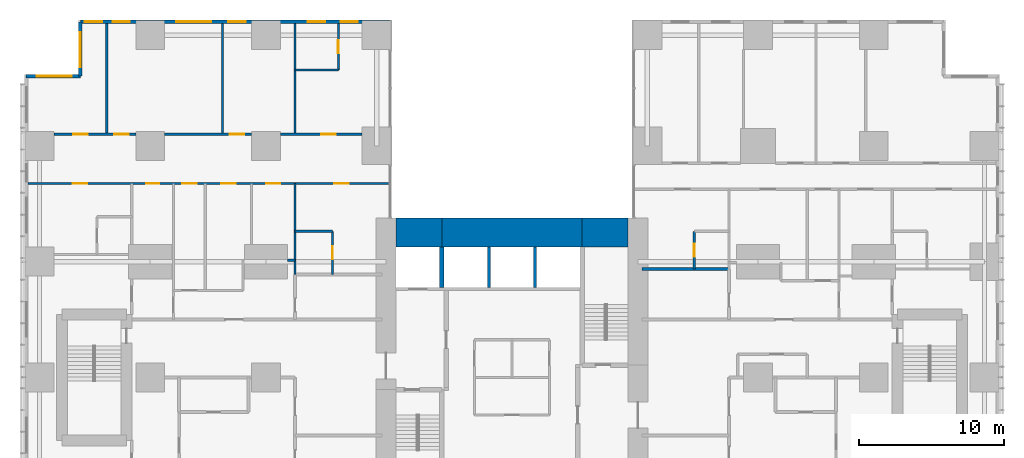
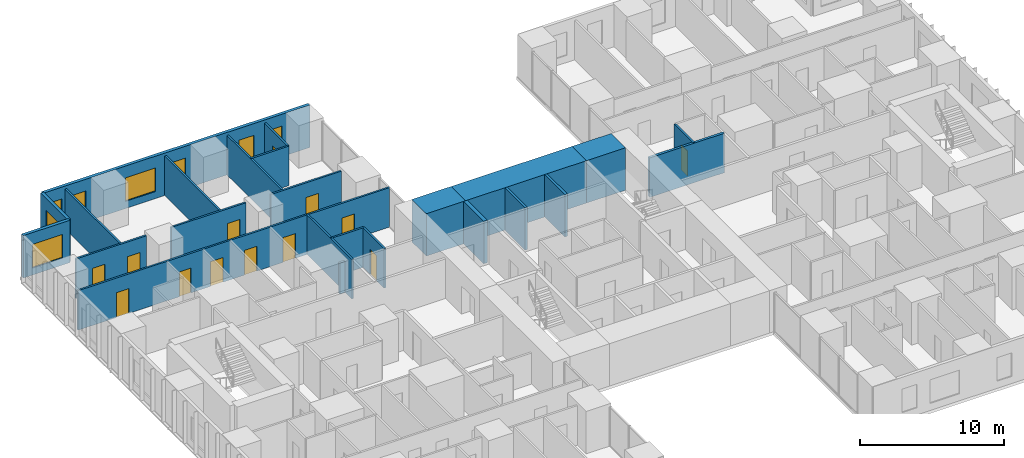
# One storey, part 17 of 20: 24 walls, 13 doors, 8 windows, 21 openings.
"""IFC4 building model written with IfcOpenShell, lengths in metres."""

import ifcopenshell
import ifcopenshell.guid

model = None  # the IFC model being written
_history = None  # IfcOwnerHistory: only IFC2X3 demands one
_inside = {}  # id of a spatial element -> (the spatial element, [elements in it])
_under = {}  # id of a project, library or spatial element -> (it, [spatial elements below it])
_declared = {}  # id of a project -> (the project, [libraries it declares])
_typed = {}  # id of a type object -> (the type object, [elements of that type])
_made_of = {}  # id of a material, layer set ... -> (it, [elements and type objects made of it])


def new_model(schema):
    """Start an empty IFC model of exactly this schema.

    Asked for "IFC4X3", IfcOpenShell would pick the latest addendum, in which some entities
    have other attributes; the version numbers below select the first issue.
    IFC2X3 requires an IfcOwnerHistory on every rooted entity: one is made here for all.
    """
    global model, _history
    if schema == "IFC4X3":
        model = ifcopenshell.file(schema_version=(4, 3, 0, 0))
    else:
        model = ifcopenshell.file(schema=schema)
    _inside.clear()
    _under.clear()
    _declared.clear()
    _typed.clear()
    _made_of.clear()
    _history = None
    if model.schema == "IFC2X3":
        org = make("IfcOrganization", Name="unknown")
        user = make(
            "IfcPersonAndOrganization",
            ThePerson=make("IfcPerson", FamilyName="unknown"),
            TheOrganization=org,
        )
        app = make(
            "IfcApplication",
            ApplicationDeveloper=org,
            Version="unknown",
            ApplicationFullName="unknown",
            ApplicationIdentifier="unknown",
        )
        _history = make(
            "IfcOwnerHistory",
            OwningUser=user,
            OwningApplication=app,
            ChangeAction="ADDED",
            CreationDate=0,
        )
    return model


def make(cls, **values):
    """One entity of the class cls with the attributes given. An attribute that is None is left unset."""
    return model.create_entity(
        cls, **{name: value for name, value in values.items() if value is not None}
    )


def rooted(cls, **values):
    """An entity with a GlobalId (a new one), such as an element, a storey or a relation."""
    return make(cls, GlobalId=ifcopenshell.guid.new(), OwnerHistory=_history, **values)


def si_unit(unit_type, name, prefix=None):
    """IfcSIUnit, for example si_unit("LENGTHUNIT", "METRE", prefix="MILLI")."""
    return make("IfcSIUnit", UnitType=unit_type, Prefix=prefix, Name=name)


def assignment(units):
    """IfcUnitAssignment: the units of a project."""
    return None if units is None else make("IfcUnitAssignment", Units=units)


def point(xyz):
    """IfcCartesianPoint."""
    return None if xyz is None else make("IfcCartesianPoint", Coordinates=xyz)


def direction(xyz):
    """IfcDirection."""
    return None if xyz is None else make("IfcDirection", DirectionRatios=xyz)


def frame(location, z_axis=None, x_axis=None):
    """IfcAxis2Placement3D, a coordinate frame: its origin and axes. An axis left out is left unset."""
    return make(
        "IfcAxis2Placement3D",
        Location=point(location),
        Axis=direction(z_axis),
        RefDirection=direction(x_axis),
    )


def frame_2d(location, x_axis=None):
    """IfcAxis2Placement2D, a coordinate frame in the plane: its origin and x axis."""
    return make(
        "IfcAxis2Placement2D", Location=point(location), RefDirection=direction(x_axis)
    )


def origin():
    """The frame at (0, 0, 0) with its axes left unset."""
    return frame((0.0, 0.0, 0.0))


def place(relative_to, where):
    """IfcLocalPlacement: puts the frame where relative to a parent placement (None: the world)."""
    return make(
        "IfcLocalPlacement", PlacementRelTo=relative_to, RelativePlacement=where
    )


def context(
    kind, dimensions, precision=None, world=None, true_north=None, identifier=None
):
    """IfcGeometricRepresentationContext, for example the 3D "Model" context."""
    return make(
        "IfcGeometricRepresentationContext",
        ContextIdentifier=identifier,
        ContextType=kind,
        CoordinateSpaceDimension=dimensions,
        Precision=precision,
        WorldCoordinateSystem=world,
        TrueNorth=true_north,
    )


def subcontext(parent, identifier, kind, view, scale=None):
    """IfcGeometricRepresentationSubContext, for example "Body" below "Model"."""
    return make(
        "IfcGeometricRepresentationSubContext",
        ContextIdentifier=identifier,
        ContextType=kind,
        ParentContext=parent,
        TargetScale=scale,
        TargetView=view,
    )


def project(units=None, contexts=None):
    """IfcProject with its units and contexts."""
    return rooted(
        "IfcProject",
        Name="project",
        RepresentationContexts=contexts,
        UnitsInContext=assignment(units),
    )


def spatial(cls, under=None, at=None, **own):
    """A site, building, storey or space (cls), placed at a placement, below another one or the project."""
    s = rooted(cls, ObjectPlacement=at, **own)
    if under is not None:
        _under.setdefault(under.id(), (under, []))[1].append(s)
    return s


def profile(cls, at=None, kind="AREA", **sizes):
    """A parametric profile (cls). Its sizes go by their IFC names, for example OverallWidth=200.0."""
    return make(cls, ProfileType=kind, Position=at, **sizes)


def rectangle(**sizes):
    """IfcRectangleProfileDef."""
    return profile("IfcRectangleProfileDef", **sizes)


def extrude(swept, where, along, depth):
    """IfcExtrudedAreaSolid: the profile swept, set in the frame where, extruded along a direction by depth."""
    return make(
        "IfcExtrudedAreaSolid",
        SweptArea=swept,
        Position=where,
        ExtrudedDirection=direction(along),
        Depth=depth,
    )


def shape(context_of_items, identifier, shape_type, items):
    """IfcShapeRepresentation: the items that make up one representation, for example the "Body"."""
    return make(
        "IfcShapeRepresentation",
        ContextOfItems=context_of_items,
        RepresentationIdentifier=identifier,
        RepresentationType=shape_type,
        Items=items,
    )


def material(Name=None, Category=None):
    """IfcMaterial."""
    return make("IfcMaterial", Name=Name, Category=Category)


def layer(
    of_material, thickness, ventilated=None, Name=None, Category=None, Priority=None
):
    """IfcMaterialLayer: one layer of a wall or slab, of a material (None: an air gap)."""
    return make(
        "IfcMaterialLayer",
        Material=of_material,
        LayerThickness=thickness,
        IsVentilated=ventilated,
        Name=Name,
        Category=Category,
        Priority=Priority,
    )


def layer_set(layers, Name=None):
    """IfcMaterialLayerSet."""
    return make("IfcMaterialLayerSet", MaterialLayers=layers, LayerSetName=Name)


def made_of(thing, what):
    """Note that an element or type object is made of a material, layer set ...; save() writes the relation."""
    if what is not None:
        _made_of.setdefault(what.id(), (what, []))[1].append(thing)
    return thing


def type_object(cls, material=None, **own):
    """A type object (cls), such as IfcWallType, which elements share."""
    return made_of(rooted(cls, **own), material)


def element(
    cls,
    number,
    at=None,
    inside=None,
    cuts=None,
    type_object=None,
    material=None,
    context=None,
    identifier="Body",
    shape_type=None,
    held_by="IfcProductDefinitionShape",
    body=None,
    shapes=None,
    **own,
):
    """One element of the class cls, such as IfcWall. Its Tag is "e" and its number.

    at: its placement. inside: the storey or other place that contains it. cuts: it is an
    opening in that element (IfcRelVoidsElement). A single representation is given by context,
    identifier, shape_type and body (its items); several are given by shapes. held_by: the class
    of the entity that holds the representations. save() writes the other relations.
    """
    e = rooted(cls, Tag="e%d" % number, ObjectPlacement=at, **own)
    if body is not None:
        shapes = [shape(context, identifier, shape_type, body)]
    if shapes is not None:
        e.Representation = make(held_by, Representations=shapes)
    if inside is not None:
        _inside.setdefault(inside.id(), (inside, []))[1].append(e)
    if cuts is not None:
        rooted(
            "IfcRelVoidsElement", RelatingBuildingElement=cuts, RelatedOpeningElement=e
        )
    if type_object is not None:
        _typed.setdefault(type_object.id(), (type_object, []))[1].append(e)
    return made_of(e, material)


def fill(opening, filler):
    """IfcRelFillsElement: the door or window that sits in an opening."""
    return rooted(
        "IfcRelFillsElement",
        RelatingOpeningElement=opening,
        RelatedBuildingElement=filler,
    )


def aggregate(whole, parts):
    """IfcRelAggregates: a whole, such as a stair, and the parts it consists of."""
    return rooted("IfcRelAggregates", RelatingObject=whole, RelatedObjects=parts)


def save(model, path):
    """Write the relations noted so far, then the file.

    IfcRelAggregates (storeys below a building ...), IfcRelContainedInSpatialStructure (elements
    in a storey), IfcRelDefinesByType, IfcRelAssociatesMaterial and IfcRelDeclares: one each for
    every whole, place, type object, material and project.
    """
    for whole, parts in _under.values():
        aggregate(whole, parts)
    for where, things in _inside.values():
        rooted(
            "IfcRelContainedInSpatialStructure",
            RelatedElements=things,
            RelatingStructure=where,
        )
    for kind, things in _typed.values():
        rooted("IfcRelDefinesByType", RelatedObjects=things, RelatingType=kind)
    for what, things in _made_of.values():
        rooted("IfcRelAssociatesMaterial", RelatedObjects=things, RelatingMaterial=what)
    for by, libraries in _declared.values():
        rooted("IfcRelDeclares", RelatingContext=by, RelatedDefinitions=libraries)
    model.write(path)


model = new_model("IFC4")

# Units and contexts
model_context = context("Model", 3, precision=1e-05, world=origin(), true_north=direction((0.0, 1.0)))
body_context = subcontext(model_context, "Body", "Model", "MODEL_VIEW")
ifc_project = project(units=[si_unit("LENGTHUNIT", "METRE"), si_unit("AREAUNIT", "SQUARE_METRE"), si_unit("VOLUMEUNIT", "CUBIC_METRE"), si_unit("PLANEANGLEUNIT", "RADIAN"), si_unit("MASSUNIT", "GRAM", prefix="KILO")], contexts=[model_context])

# Site, building, storey
site_placement = place(None, origin())
site = spatial("IfcSite", under=ifc_project, at=site_placement, CompositionType="ELEMENT")
building_placement = place(site_placement, origin())
building = spatial("IfcBuilding", under=site, at=building_placement, Name="Cleftline Residences", CompositionType="ELEMENT")
storey_placement = place(building_placement, frame((0.0, 0.0, 47.60009765625)))
storey = spatial("IfcBuildingStorey", under=building, at=storey_placement, Name="L11", CompositionType="ELEMENT", Elevation=47.60009765625)

# Walls
ifc_material_1 = material(Name="Concrete B70", Category="concrete")
ifc_layer_1 = layer(ifc_material_1, 2.0)
ifc_layer_set_1 = layer_set([ifc_layer_1], Name="CORE WALL 2000")
wall_type_1 = type_object("IfcWallType", Name="CORE WALL 2000", PredefinedType="SHEAR", material=ifc_layer_set_1)
wall_1_placement = place(storey_placement, frame((25.0, 34.0, 0.0), z_axis=(0.0, 0.0, 1.0), x_axis=(1.0, 0.0, 0.0)))
element("IfcWall", 1, at=wall_1_placement, inside=storey, type_object=wall_type_1, Name="Core wall N1", PredefinedType="SHEAR", context=body_context, shape_type="SweptSolid", body=[
    extrude(rectangle(XDim=3.14990234375, YDim=2.0, at=frame_2d((1.574951171875, 0.0))), origin(), (0.0, 0.0, 1.0), 3.599853515625),
])
wall_2_placement = place(storey_placement, frame((28.14990234375, 34.0, 0.0), z_axis=(0.0, 0.0, 1.0), x_axis=(1.0, 0.0, 0.0)))
element("IfcWall", 2, at=wall_2_placement, inside=storey, type_object=wall_type_1, Name="Core wall N2", PredefinedType="SHEAR", context=body_context, shape_type="SweptSolid", body=[
    extrude(rectangle(XDim=9.7001953125, YDim=2.0, at=frame_2d((4.85009765625, 0.0))), origin(), (0.0, 0.0, 1.0), 3.599853515625),
])
wall_3_placement = place(storey_placement, frame((37.85009765625, 34.0, 0.0), z_axis=(0.0, 0.0, 1.0), x_axis=(1.0, 0.0, 0.0)))
element("IfcWall", 3, at=wall_3_placement, inside=storey, type_object=wall_type_1, Name="Core wall N3", PredefinedType="SHEAR", context=body_context, shape_type="SweptSolid", body=[
    extrude(rectangle(XDim=3.14990234375, YDim=2.0, at=frame_2d((1.574951171875, 0.0))), origin(), (0.0, 0.0, 1.0), 3.599853515625),
])
ifc_material_2 = material(Name="Concrete B70", Category="concrete")
ifc_layer_2 = layer(ifc_material_2, 0.300048828125)
ifc_layer_set_2 = layer_set([ifc_layer_2], Name="CORE WALL 300")
wall_type_2 = type_object("IfcWallType", Name="CORE WALL 300", PredefinedType="SHEAR", material=ifc_layer_set_2)
wall_4_placement = place(storey_placement, frame((28.14990234375, 30.199951171875, 0.0), z_axis=(0.0, 0.0, 1.0), x_axis=(0.0, 1.0, 0.0)))
element("IfcWall", 4, at=wall_4_placement, inside=storey, type_object=wall_type_2, Name="Lift shaft wall", PredefinedType="SHEAR", context=body_context, shape_type="SweptSolid", body=[
    extrude(rectangle(XDim=2.800048828125, YDim=0.300048828125, at=frame_2d((1.39990234375, 0.0))), origin(), (0.0, 0.0, 1.0), 3.599853515625),
])

# Wall, openings, windows
ifc_material_3 = material(Name="Rendered reinforced concrete blockwork", Category="masonry")
ifc_layer_3 = layer(ifc_material_3, 0.25)
ifc_layer_set_3 = layer_set([ifc_layer_3], Name="EXTERNAL WALL 250")
wall_type_3 = type_object("IfcWallType", Name="EXTERNAL WALL 250", PredefinedType="SOLIDWALL", material=ifc_layer_set_3)
wall_5_placement = place(storey_placement, frame((24.574951171875, 48.574951171875, 0.0), z_axis=(0.0, 0.0, 1.0), x_axis=(-1.0, 0.0, 0.0)))
wall_5 = element("IfcWall", 5, at=wall_5_placement, inside=storey, type_object=wall_type_3, Name="External wall", PredefinedType="SOLIDWALL", context=body_context, shape_type="SweptSolid", body=[
    extrude(rectangle(XDim=21.39990234375, YDim=0.25, at=frame_2d((10.699951171875, 0.0))), origin(), (0.0, 0.0, 1.0), 3.599853515625),
])
opening_1_placement = place(wall_5_placement, frame((2.22509765625, 0.0, 0.60009765625)))
opening_1 = element("IfcOpeningElement", 6, at=opening_1_placement, cuts=wall_5, Name="Opening W8", PredefinedType="OPENING", context=body_context, shape_type="SweptSolid", body=[
    extrude(rectangle(XDim=1.199951171875, YDim=2.0, at=frame_2d((0.60009765625, 1.0))), frame((0.0, 0.135009765625, 0.0), z_axis=(0.0, -1.0, 0.0), x_axis=(1.0, 0.0, 0.0)), (0.0, 0.0, 1.0), 0.27001953125),
])
opening_2_placement = place(wall_5_placement, frame((4.47509765625, 0.0, 0.60009765625)))
opening_2 = element("IfcOpeningElement", 7, at=opening_2_placement, cuts=wall_5, Name="Opening W8", PredefinedType="OPENING", context=body_context, shape_type="SweptSolid", body=[
    extrude(rectangle(XDim=1.199951171875, YDim=2.0, at=frame_2d((0.60009765625, 1.0))), frame((0.0, 0.135009765625, 0.0), z_axis=(0.0, -1.0, 0.0), x_axis=(1.0, 0.0, 0.0)), (0.0, 0.0, 1.0), 0.27001953125),
])
opening_3_placement = place(wall_5_placement, frame((9.97509765625, 0.0, 0.60009765625)))
opening_3 = element("IfcOpeningElement", 8, at=opening_3_placement, cuts=wall_5, Name="Opening W8", PredefinedType="OPENING", context=body_context, shape_type="SweptSolid", body=[
    extrude(rectangle(XDim=1.199951171875, YDim=2.0, at=frame_2d((0.60009765625, 1.0))), frame((0.0, 0.135009765625, 0.0), z_axis=(0.0, -1.0, 0.0), x_axis=(1.0, 0.0, 0.0)), (0.0, 0.0, 1.0), 0.27001953125),
])
opening_4_placement = place(wall_5_placement, frame((12.375, 0.0, 0.60009765625)))
opening_4 = element("IfcOpeningElement", 9, at=opening_4_placement, cuts=wall_5, Name="Opening W6", PredefinedType="OPENING", context=body_context, shape_type="SweptSolid", body=[
    extrude(rectangle(XDim=2.39990234375, YDim=2.0, at=frame_2d((1.199951171875, 1.0))), frame((0.0, 0.135009765625, 0.0), z_axis=(0.0, -1.0, 0.0), x_axis=(1.0, 0.0, 0.0)), (0.0, 0.0, 1.0), 0.27001953125),
])
opening_5_placement = place(wall_5_placement, frame((17.97509765625, 0.0, 0.60009765625)))
opening_5 = element("IfcOpeningElement", 10, at=opening_5_placement, cuts=wall_5, Name="Opening W8", PredefinedType="OPENING", context=body_context, shape_type="SweptSolid", body=[
    extrude(rectangle(XDim=1.199951171875, YDim=2.0, at=frame_2d((0.60009765625, 1.0))), frame((0.0, 0.135009765625, 0.0), z_axis=(0.0, -1.0, 0.0), x_axis=(1.0, 0.0, 0.0)), (0.0, 0.0, 1.0), 0.27001953125),
])
opening_6_placement = place(wall_5_placement, frame((19.89990234375, 0.0, 0.60009765625)))
opening_6 = element("IfcOpeningElement", 11, at=opening_6_placement, cuts=wall_5, Name="Opening W8", PredefinedType="OPENING", context=body_context, shape_type="SweptSolid", body=[
    extrude(rectangle(XDim=1.199951171875, YDim=2.0, at=frame_2d((0.60009765625, 1.0))), frame((0.0, 0.135009765625, 0.0), z_axis=(0.0, -1.0, 0.0), x_axis=(1.0, 0.0, 0.0)), (0.0, 0.0, 1.0), 0.27001953125),
])
ifc_material_4 = material(Name="Aluminium frame, clear double glazing", Category="aluminium")
window_type_1 = type_object("IfcWindowType", Name="WINDOW 1200X2000", PartitioningType="DOUBLE_PANEL_VERTICAL", PredefinedType="WINDOW", material=ifc_material_4)
window_1_placement = place(opening_1_placement, origin())
window_1 = element("IfcWindow", 12, at=window_1_placement, inside=storey, type_object=window_type_1, Name="Window", OverallHeight=2.0, OverallWidth=1.199951171875, PartitioningType="SINGLE_PANEL", PredefinedType="WINDOW", context=body_context, shape_type="SweptSolid", body=[
    extrude(rectangle(XDim=1.199951171875, YDim=2.0, at=frame_2d((0.60009765625, 1.0))), frame((0.0, 0.030029296875, 0.0), z_axis=(0.0, -1.0, 0.0), x_axis=(1.0, 0.0, 0.0)), (0.0, 0.0, 1.0), 0.06005859375),
])
fill(opening_1, window_1)
window_2_placement = place(opening_2_placement, origin())
window_2 = element("IfcWindow", 13, at=window_2_placement, inside=storey, type_object=window_type_1, Name="Window", OverallHeight=2.0, OverallWidth=1.199951171875, PartitioningType="SINGLE_PANEL", PredefinedType="WINDOW", context=body_context, shape_type="SweptSolid", body=[
    extrude(rectangle(XDim=1.199951171875, YDim=2.0, at=frame_2d((0.60009765625, 1.0))), frame((0.0, 0.030029296875, 0.0), z_axis=(0.0, -1.0, 0.0), x_axis=(1.0, 0.0, 0.0)), (0.0, 0.0, 1.0), 0.06005859375),
])
fill(opening_2, window_2)
window_3_placement = place(opening_3_placement, origin())
window_3 = element("IfcWindow", 14, at=window_3_placement, inside=storey, type_object=window_type_1, Name="Window", OverallHeight=2.0, OverallWidth=1.199951171875, PartitioningType="SINGLE_PANEL", PredefinedType="WINDOW", context=body_context, shape_type="SweptSolid", body=[
    extrude(rectangle(XDim=1.199951171875, YDim=2.0, at=frame_2d((0.60009765625, 1.0))), frame((0.0, 0.030029296875, 0.0), z_axis=(0.0, -1.0, 0.0), x_axis=(1.0, 0.0, 0.0)), (0.0, 0.0, 1.0), 0.06005859375),
])
fill(opening_3, window_3)
window_4_placement = place(opening_5_placement, origin())
window_4 = element("IfcWindow", 15, at=window_4_placement, inside=storey, type_object=window_type_1, Name="Window", OverallHeight=2.0, OverallWidth=1.199951171875, PartitioningType="SINGLE_PANEL", PredefinedType="WINDOW", context=body_context, shape_type="SweptSolid", body=[
    extrude(rectangle(XDim=1.199951171875, YDim=2.0, at=frame_2d((0.60009765625, 1.0))), frame((0.0, 0.030029296875, 0.0), z_axis=(0.0, -1.0, 0.0), x_axis=(1.0, 0.0, 0.0)), (0.0, 0.0, 1.0), 0.06005859375),
])
fill(opening_5, window_4)
window_5_placement = place(opening_6_placement, origin())
window_5 = element("IfcWindow", 16, at=window_5_placement, inside=storey, type_object=window_type_1, Name="Window", OverallHeight=2.0, OverallWidth=1.199951171875, PartitioningType="SINGLE_PANEL", PredefinedType="WINDOW", context=body_context, shape_type="SweptSolid", body=[
    extrude(rectangle(XDim=1.199951171875, YDim=2.0, at=frame_2d((0.60009765625, 1.0))), frame((0.0, 0.030029296875, 0.0), z_axis=(0.0, -1.0, 0.0), x_axis=(1.0, 0.0, 0.0)), (0.0, 0.0, 1.0), 0.06005859375),
])
fill(opening_6, window_5)
ifc_material_5 = material(Name="Aluminium frame, clear double glazing", Category="aluminium")
window_type_2 = type_object("IfcWindowType", Name="WINDOW 2400X2000", PartitioningType="DOUBLE_PANEL_VERTICAL", PredefinedType="WINDOW", material=ifc_material_5)
window_6_placement = place(opening_4_placement, origin())
window_6 = element("IfcWindow", 17, at=window_6_placement, inside=storey, type_object=window_type_2, Name="Window", OverallHeight=2.0, OverallWidth=2.39990234375, PartitioningType="SINGLE_PANEL", PredefinedType="WINDOW", context=body_context, shape_type="SweptSolid", body=[
    extrude(rectangle(XDim=2.39990234375, YDim=2.0, at=frame_2d((1.199951171875, 1.0))), frame((0.0, 0.030029296875, 0.0), z_axis=(0.0, -1.0, 0.0), x_axis=(1.0, 0.0, 0.0)), (0.0, 0.0, 1.0), 0.06005859375),
])
fill(opening_4, window_6)

# Wall, opening, window
wall_6_placement = place(storey_placement, frame((3.175048828125, 48.574951171875, 0.0), z_axis=(0.0, 0.0, 1.0), x_axis=(0.0, -1.0, 0.0)))
wall_6 = element("IfcWall", 18, at=wall_6_placement, inside=storey, type_object=wall_type_3, Name="External wall", PredefinedType="SOLIDWALL", context=body_context, shape_type="SweptSolid", body=[
    extrude(rectangle(XDim=3.75, YDim=0.25, at=frame_2d((1.875, 0.0))), origin(), (0.0, 0.0, 1.0), 3.599853515625),
])
opening_7_placement = place(wall_6_placement, frame((0.737548828125, 0.0, 0.60009765625)))
opening_7 = element("IfcOpeningElement", 19, at=opening_7_placement, cuts=wall_6, Name="Opening W6", PredefinedType="OPENING", context=body_context, shape_type="SweptSolid", body=[
    extrude(rectangle(XDim=2.39990234375, YDim=2.0, at=frame_2d((1.199951171875, 1.0))), frame((0.0, 0.135009765625, 0.0), z_axis=(0.0, -1.0, 0.0), x_axis=(1.0, 0.0, 0.0)), (0.0, 0.0, 1.0), 0.27001953125),
])
window_7_placement = place(opening_7_placement, origin())
window_7 = element("IfcWindow", 20, at=window_7_placement, inside=storey, type_object=window_type_2, Name="Window", OverallHeight=2.0, OverallWidth=2.39990234375, PartitioningType="SINGLE_PANEL", PredefinedType="WINDOW", context=body_context, shape_type="SweptSolid", body=[
    extrude(rectangle(XDim=2.39990234375, YDim=2.0, at=frame_2d((1.199951171875, 1.0))), frame((0.0, 0.030029296875, 0.0), z_axis=(0.0, -1.0, 0.0), x_axis=(1.0, 0.0, 0.0)), (0.0, 0.0, 1.0), 0.06005859375),
])
fill(opening_7, window_7)

wall_7_placement = place(storey_placement, frame((3.175048828125, 44.824951171875, 0.0), z_axis=(0.0, 0.0, 1.0), x_axis=(-1.0, 0.0, 0.0)))
wall_7 = element("IfcWall", 21, at=wall_7_placement, inside=storey, type_object=wall_type_3, Name="External wall", PredefinedType="SOLIDWALL", context=body_context, shape_type="SweptSolid", body=[
    extrude(rectangle(XDim=3.75, YDim=0.25, at=frame_2d((1.875, 0.0))), origin(), (0.0, 0.0, 1.0), 3.599853515625),
])
opening_8_placement = place(wall_7_placement, frame((0.612548828125, 0.0, 0.60009765625)))
opening_8 = element("IfcOpeningElement", 22, at=opening_8_placement, cuts=wall_7, Name="Opening W6", PredefinedType="OPENING", context=body_context, shape_type="SweptSolid", body=[
    extrude(rectangle(XDim=2.39990234375, YDim=2.0, at=frame_2d((1.199951171875, 1.0))), frame((0.0, 0.135009765625, 0.0), z_axis=(0.0, -1.0, 0.0), x_axis=(1.0, 0.0, 0.0)), (0.0, 0.0, 1.0), 0.27001953125),
])
window_8_placement = place(opening_8_placement, origin())
window_8 = element("IfcWindow", 23, at=window_8_placement, inside=storey, type_object=window_type_2, Name="Window", OverallHeight=2.0, OverallWidth=2.39990234375, PartitioningType="SINGLE_PANEL", PredefinedType="WINDOW", context=body_context, shape_type="SweptSolid", body=[
    extrude(rectangle(XDim=2.39990234375, YDim=2.0, at=frame_2d((1.199951171875, 1.0))), frame((0.0, 0.030029296875, 0.0), z_axis=(0.0, -1.0, 0.0), x_axis=(1.0, 0.0, 0.0)), (0.0, 0.0, 1.0), 0.06005859375),
])
fill(opening_8, window_8)

# Walls
ifc_material_6 = material(Name="Concrete blockwork, fire rated", Category="masonry")
ifc_layer_4 = layer(ifc_material_6, 0.199951171875)
ifc_layer_set_4 = layer_set([ifc_layer_4], Name="FIRE WALL 200")
wall_type_4 = type_object("IfcWallType", Name="FIRE WALL 200", PredefinedType="PARTITIONING", material=ifc_layer_set_4)
wall_8_placement = place(storey_placement, frame((42.0, 31.5, 0.0), z_axis=(0.0, 0.0, 1.0), x_axis=(1.0, 0.0, 0.0)))
element("IfcWall", 24, at=wall_8_placement, inside=storey, type_object=wall_type_4, Name="Fire separating wall", PredefinedType="PARTITIONING", context=body_context, shape_type="SweptSolid", body=[
    extrude(rectangle(XDim=6.0, YDim=0.199951171875, at=frame_2d((3.0, 0.0))), origin(), (0.0, 0.0, 1.0), 3.349853515625),
])
ifc_material_7 = material(Name="Gypsum board on steel studs", Category="steel")
ifc_layer_5 = layer(ifc_material_7, 0.14990234375)
ifc_layer_set_5 = layer_set([ifc_layer_5], Name="PARTITION 150")
wall_type_5 = type_object("IfcWallType", Name="PARTITION 150", PredefinedType="PARTITIONING", material=ifc_layer_set_5)
wall_9_placement = place(storey_placement, frame((17.5, 32.10009765625, 0.0), z_axis=(0.0, 0.0, 1.0), x_axis=(1.0, 0.0, 0.0)))
element("IfcWall", 25, at=wall_9_placement, inside=storey, type_object=wall_type_5, Name="Partition", PredefinedType="PARTITIONING", context=body_context, shape_type="SweptSolid", body=[
    extrude(rectangle(XDim=0.5, YDim=0.14990234375, at=frame_2d((0.25, 0.0))), origin(), (0.0, 0.0, 1.0), 2.6337890625),
])
wall_10_placement = place(storey_placement, frame((18.0, 34.10009765625, 0.0), z_axis=(0.0, 0.0, 1.0), x_axis=(1.0, 0.0, 0.0)))
element("IfcWall", 26, at=wall_10_placement, inside=storey, type_object=wall_type_5, Name="Partition", PredefinedType="PARTITIONING", context=body_context, shape_type="SweptSolid", body=[
    extrude(rectangle(XDim=2.60009765625, YDim=0.14990234375, at=frame_2d((1.300048828125, 0.0))), origin(), (0.0, 0.0, 1.0), 3.349853515625),
])

# Wall, openings, doors
wall_11_placement = place(storey_placement, frame((-0.449951171875, 37.39990234375, 0.0), z_axis=(0.0, 0.0, 1.0), x_axis=(1.0, 0.0, 0.0)))
wall_11 = element("IfcWall", 27, at=wall_11_placement, inside=storey, type_object=wall_type_5, Name="Partition", PredefinedType="PARTITIONING", context=body_context, shape_type="SweptSolid", body=[
    extrude(rectangle(XDim=25.010986328125, YDim=0.14990234375, at=frame_2d((12.50537109375, 0.0))), origin(), (0.0, 0.0, 1.0), 3.349853515625),
])
opening_9_placement = place(wall_11_placement, frame((10.64990234375, 0.0, 0.0)))
opening_9 = element("IfcOpeningElement", 28, at=opening_9_placement, cuts=wall_11, Name="Opening D2", PredefinedType="OPENING", context=body_context, shape_type="SweptSolid", body=[
    extrude(rectangle(XDim=1.0, YDim=2.10009765625, at=frame_2d((0.5, 1.050048828125))), frame((0.0, 0.0849609375, 0.0), z_axis=(0.0, -1.0, 0.0), x_axis=(1.0, 0.0, 0.0)), (0.0, 0.0, 1.0), 0.169921875),
])
opening_10_placement = place(wall_11_placement, frame((3.08740234375, 0.0, 0.0)))
opening_10 = element("IfcOpeningElement", 29, at=opening_10_placement, cuts=wall_11, Name="Opening D2", PredefinedType="OPENING", context=body_context, shape_type="SweptSolid", body=[
    extrude(rectangle(XDim=1.0, YDim=2.10009765625, at=frame_2d((0.5, 1.050048828125))), frame((0.0, 0.0849609375, 0.0), z_axis=(0.0, -1.0, 0.0), x_axis=(1.0, 0.0, 0.0)), (0.0, 0.0, 1.0), 0.169921875),
])
opening_11_placement = place(wall_11_placement, frame((8.16259765625, 0.0, 0.0)))
opening_11 = element("IfcOpeningElement", 30, at=opening_11_placement, cuts=wall_11, Name="Opening D1", PredefinedType="OPENING", context=body_context, shape_type="SweptSolid", body=[
    extrude(rectangle(XDim=0.89990234375, YDim=2.10009765625, at=frame_2d((0.449951171875, 1.050048828125))), frame((0.0, 0.0849609375, 0.0), z_axis=(0.0, -1.0, 0.0), x_axis=(1.0, 0.0, 0.0)), (0.0, 0.0, 1.0), 0.169921875),
])
opening_12_placement = place(wall_11_placement, frame((13.35009765625, 0.0, 0.0)))
opening_12 = element("IfcOpeningElement", 31, at=opening_12_placement, cuts=wall_11, Name="Opening D2", PredefinedType="OPENING", context=body_context, shape_type="SweptSolid", body=[
    extrude(rectangle(XDim=1.0, YDim=2.10009765625, at=frame_2d((0.5, 1.050048828125))), frame((0.0, 0.0849609375, 0.0), z_axis=(0.0, -1.0, 0.0), x_axis=(1.0, 0.0, 0.0)), (0.0, 0.0, 1.0), 0.169921875),
])
opening_13_placement = place(wall_11_placement, frame((16.449951171875, 0.0, 0.0)))
opening_13 = element("IfcOpeningElement", 32, at=opening_13_placement, cuts=wall_11, Name="Opening D2", PredefinedType="OPENING", context=body_context, shape_type="SweptSolid", body=[
    extrude(rectangle(XDim=1.0, YDim=2.10009765625, at=frame_2d((0.5, 1.050048828125))), frame((0.0, 0.0849609375, 0.0), z_axis=(0.0, -1.0, 0.0), x_axis=(1.0, 0.0, 0.0)), (0.0, 0.0, 1.0), 0.169921875),
])
opening_14_placement = place(wall_11_placement, frame((21.175048828125, 0.0, 0.0)))
opening_14 = element("IfcOpeningElement", 33, at=opening_14_placement, cuts=wall_11, Name="Opening D2", PredefinedType="OPENING", context=body_context, shape_type="SweptSolid", body=[
    extrude(rectangle(XDim=1.0, YDim=2.10009765625, at=frame_2d((0.5, 1.050048828125))), frame((0.0, 0.0849609375, 0.0), z_axis=(0.0, -1.0, 0.0), x_axis=(1.0, 0.0, 0.0)), (0.0, 0.0, 1.0), 0.169921875),
])
ifc_material_8 = material(Name="Timber veneer on solid core", Category="wood")
door_type_1 = type_object("IfcDoorType", Name="DOOR 1000X2100", OperationType="SINGLE_SWING_LEFT", PredefinedType="DOOR", material=ifc_material_8)
door_1_placement = place(opening_9_placement, origin())
door_1 = element("IfcDoor", 34, at=door_1_placement, inside=storey, type_object=door_type_1, Name="Door to residence hall", OperationType="SINGLE_SWING_RIGHT", OverallHeight=2.10009765625, OverallWidth=1.0, PredefinedType="DOOR", context=body_context, shape_type="SweptSolid", body=[
    extrude(rectangle(XDim=1.0, YDim=2.10009765625, at=frame_2d((0.5, 1.050048828125))), frame((0.0, 0.02490234375, 0.0), z_axis=(0.0, -1.0, 0.0), x_axis=(1.0, 0.0, 0.0)), (0.0, 0.0, 1.0), 0.050048828125),
])
fill(opening_9, door_1)
door_2_placement = place(opening_10_placement, origin())
door_2 = element("IfcDoor", 35, at=door_2_placement, inside=storey, type_object=door_type_1, Name="Door to bedroom 2", OperationType="SINGLE_SWING_RIGHT", OverallHeight=2.10009765625, OverallWidth=1.0, PredefinedType="DOOR", context=body_context, shape_type="SweptSolid", body=[
    extrude(rectangle(XDim=1.0, YDim=2.10009765625, at=frame_2d((0.5, 1.050048828125))), frame((0.0, 0.02490234375, 0.0), z_axis=(0.0, -1.0, 0.0), x_axis=(1.0, 0.0, 0.0)), (0.0, 0.0, 1.0), 0.050048828125),
])
fill(opening_10, door_2)
door_3_placement = place(opening_12_placement, origin())
door_3 = element("IfcDoor", 36, at=door_3_placement, inside=storey, type_object=door_type_1, Name="Door to family room", OperationType="SINGLE_SWING_LEFT", OverallHeight=2.10009765625, OverallWidth=1.0, PredefinedType="DOOR", context=body_context, shape_type="SweptSolid", body=[
    extrude(rectangle(XDim=1.0, YDim=2.10009765625, at=frame_2d((0.5, 1.050048828125))), frame((0.0, 0.02490234375, 0.0), z_axis=(0.0, -1.0, 0.0), x_axis=(1.0, 0.0, 0.0)), (0.0, 0.0, 1.0), 0.050048828125),
])
fill(opening_12, door_3)
door_4_placement = place(opening_13_placement, origin())
door_4 = element("IfcDoor", 37, at=door_4_placement, inside=storey, type_object=door_type_1, Name="Door to wet kitchen", OperationType="SINGLE_SWING_LEFT", OverallHeight=2.10009765625, OverallWidth=1.0, PredefinedType="DOOR", context=body_context, shape_type="SweptSolid", body=[
    extrude(rectangle(XDim=1.0, YDim=2.10009765625, at=frame_2d((0.5, 1.050048828125))), frame((0.0, 0.02490234375, 0.0), z_axis=(0.0, -1.0, 0.0), x_axis=(1.0, 0.0, 0.0)), (0.0, 0.0, 1.0), 0.050048828125),
])
fill(opening_13, door_4)
door_5_placement = place(opening_14_placement, origin())
door_5 = element("IfcDoor", 38, at=door_5_placement, inside=storey, type_object=door_type_1, Name="Door to bedroom 3", OperationType="SINGLE_SWING_LEFT", OverallHeight=2.10009765625, OverallWidth=1.0, PredefinedType="DOOR", context=body_context, shape_type="SweptSolid", body=[
    extrude(rectangle(XDim=1.0, YDim=2.10009765625, at=frame_2d((0.5, 1.050048828125))), frame((0.0, 0.02490234375, 0.0), z_axis=(0.0, -1.0, 0.0), x_axis=(1.0, 0.0, 0.0)), (0.0, 0.0, 1.0), 0.050048828125),
])
fill(opening_14, door_5)
ifc_material_9 = material(Name="Timber veneer on solid core", Category="wood")
door_type_2 = type_object("IfcDoorType", Name="DOOR 900X2100", OperationType="SINGLE_SWING_LEFT", PredefinedType="DOOR", material=ifc_material_9)
door_6_placement = place(opening_11_placement, origin())
door_6 = element("IfcDoor", 39, at=door_6_placement, inside=storey, type_object=door_type_2, Name="Door to linen store", OperationType="SINGLE_SWING_RIGHT", OverallHeight=2.10009765625, OverallWidth=0.89990234375, PredefinedType="DOOR", context=body_context, shape_type="SweptSolid", body=[
    extrude(rectangle(XDim=0.89990234375, YDim=2.10009765625, at=frame_2d((0.449951171875, 1.050048828125))), frame((0.0, 0.02490234375, 0.0), z_axis=(0.0, -1.0, 0.0), x_axis=(1.0, 0.0, 0.0)), (0.0, 0.0, 1.0), 0.050048828125),
])
fill(opening_11, door_6)

wall_12_placement = place(storey_placement, frame((1.35009765625, 40.800048828125, 0.0), z_axis=(0.0, 0.0, 1.0), x_axis=(1.0, 0.0, 0.0)))
wall_12 = element("IfcWall", 40, at=wall_12_placement, inside=storey, type_object=wall_type_5, Name="Partition", PredefinedType="PARTITIONING", context=body_context, shape_type="SweptSolid", body=[
    extrude(rectangle(XDim=5.64990234375, YDim=0.14990234375, at=frame_2d((2.824951171875, 0.0))), origin(), (0.0, 0.0, 1.0), 3.349853515625),
])
opening_15_placement = place(wall_12_placement, frame((1.324951171875, 0.0, 0.0)))
opening_15 = element("IfcOpeningElement", 41, at=opening_15_placement, cuts=wall_12, Name="Opening D2", PredefinedType="OPENING", context=body_context, shape_type="SweptSolid", body=[
    extrude(rectangle(XDim=1.0, YDim=2.10009765625, at=frame_2d((0.5, 1.050048828125))), frame((0.0, 0.0849609375, 0.0), z_axis=(0.0, -1.0, 0.0), x_axis=(1.0, 0.0, 0.0)), (0.0, 0.0, 1.0), 0.169921875),
])
opening_16_placement = place(wall_12_placement, frame((4.14990234375, 0.0, 0.0)))
opening_16 = element("IfcOpeningElement", 42, at=opening_16_placement, cuts=wall_12, Name="Opening D2", PredefinedType="OPENING", context=body_context, shape_type="SweptSolid", body=[
    extrude(rectangle(XDim=1.0, YDim=2.10009765625, at=frame_2d((0.5, 1.050048828125))), frame((0.0, 0.0849609375, 0.0), z_axis=(0.0, -1.0, 0.0), x_axis=(1.0, 0.0, 0.0)), (0.0, 0.0, 1.0), 0.169921875),
])
door_7_placement = place(opening_15_placement, origin())
door_7 = element("IfcDoor", 43, at=door_7_placement, inside=storey, type_object=door_type_1, Name="Door to winter garden", OperationType="SINGLE_SWING_RIGHT", OverallHeight=2.10009765625, OverallWidth=1.0, PredefinedType="DOOR", context=body_context, shape_type="SweptSolid", body=[
    extrude(rectangle(XDim=1.0, YDim=2.10009765625, at=frame_2d((0.5, 1.050048828125))), frame((0.0, 0.02490234375, 0.0), z_axis=(0.0, -1.0, 0.0), x_axis=(1.0, 0.0, 0.0)), (0.0, 0.0, 1.0), 0.050048828125),
])
fill(opening_15, door_7)
door_8_placement = place(opening_16_placement, origin())
door_8 = element("IfcDoor", 44, at=door_8_placement, inside=storey, type_object=door_type_1, Name="Door to living and dining room", OperationType="SINGLE_SWING_LEFT", OverallHeight=2.10009765625, OverallWidth=1.0, PredefinedType="DOOR", context=body_context, shape_type="SweptSolid", body=[
    extrude(rectangle(XDim=1.0, YDim=2.10009765625, at=frame_2d((0.5, 1.050048828125))), frame((0.0, 0.02490234375, 0.0), z_axis=(0.0, -1.0, 0.0), x_axis=(1.0, 0.0, 0.0)), (0.0, 0.0, 1.0), 0.050048828125),
])
fill(opening_16, door_8)

# Wall, opening, door
wall_13_placement = place(storey_placement, frame((9.0, 40.800048828125, 0.0), z_axis=(0.0, 0.0, 1.0), x_axis=(1.0, 0.0, 0.0)))
wall_13 = element("IfcWall", 45, at=wall_13_placement, inside=storey, type_object=wall_type_5, Name="Partition", PredefinedType="PARTITIONING", context=body_context, shape_type="SweptSolid", body=[
    extrude(rectangle(XDim=6.0, YDim=0.14990234375, at=frame_2d((3.0, 0.0))), origin(), (0.0, 0.0, 1.0), 3.349853515625),
])
opening_17_placement = place(wall_13_placement, frame((4.5, 0.0, 0.0)))
opening_17 = element("IfcOpeningElement", 46, at=opening_17_placement, cuts=wall_13, Name="Opening D2", PredefinedType="OPENING", context=body_context, shape_type="SweptSolid", body=[
    extrude(rectangle(XDim=1.0, YDim=2.10009765625, at=frame_2d((0.5, 1.050048828125))), frame((0.0, 0.0849609375, 0.0), z_axis=(0.0, -1.0, 0.0), x_axis=(1.0, 0.0, 0.0)), (0.0, 0.0, 1.0), 0.169921875),
])
door_9_placement = place(opening_17_placement, origin())
door_9 = element("IfcDoor", 47, at=door_9_placement, inside=storey, type_object=door_type_1, Name="Door to show kitchen", OperationType="SINGLE_SWING_LEFT", OverallHeight=2.10009765625, OverallWidth=1.0, PredefinedType="DOOR", context=body_context, shape_type="SweptSolid", body=[
    extrude(rectangle(XDim=1.0, YDim=2.10009765625, at=frame_2d((0.5, 1.050048828125))), frame((0.0, 0.02490234375, 0.0), z_axis=(0.0, -1.0, 0.0), x_axis=(1.0, 0.0, 0.0)), (0.0, 0.0, 1.0), 0.050048828125),
])
fill(opening_17, door_9)

wall_14_placement = place(storey_placement, frame((17.0, 40.800048828125, 0.0), z_axis=(0.0, 0.0, 1.0), x_axis=(1.0, 0.0, 0.0)))
wall_14 = element("IfcWall", 48, at=wall_14_placement, inside=storey, type_object=wall_type_5, Name="Partition", PredefinedType="PARTITIONING", context=body_context, shape_type="SweptSolid", body=[
    extrude(rectangle(XDim=5.64990234375, YDim=0.14990234375, at=frame_2d((2.824951171875, 0.0))), origin(), (0.0, 0.0, 1.0), 3.349853515625),
])
opening_18_placement = place(wall_14_placement, frame((2.824951171875, 0.0, 0.0)))
opening_18 = element("IfcOpeningElement", 49, at=opening_18_placement, cuts=wall_14, Name="Opening D2", PredefinedType="OPENING", context=body_context, shape_type="SweptSolid", body=[
    extrude(rectangle(XDim=1.0, YDim=2.10009765625, at=frame_2d((0.5, 1.050048828125))), frame((0.0, 0.0849609375, 0.0), z_axis=(0.0, -1.0, 0.0), x_axis=(1.0, 0.0, 0.0)), (0.0, 0.0, 1.0), 0.169921875),
])
door_10_placement = place(opening_18_placement, origin())
door_10 = element("IfcDoor", 50, at=door_10_placement, inside=storey, type_object=door_type_1, Name="Door to master bedroom", OperationType="SINGLE_SWING_LEFT", OverallHeight=2.10009765625, OverallWidth=1.0, PredefinedType="DOOR", context=body_context, shape_type="SweptSolid", body=[
    extrude(rectangle(XDim=1.0, YDim=2.10009765625, at=frame_2d((0.5, 1.050048828125))), frame((0.0, 0.02490234375, 0.0), z_axis=(0.0, -1.0, 0.0), x_axis=(1.0, 0.0, 0.0)), (0.0, 0.0, 1.0), 0.050048828125),
])
fill(opening_18, door_10)

# Walls
wall_15_placement = place(storey_placement, frame((18.0, 45.25, 0.0), z_axis=(0.0, 0.0, 1.0), x_axis=(1.0, 0.0, 0.0)))
element("IfcWall", 51, at=wall_15_placement, inside=storey, type_object=wall_type_5, Name="Partition", PredefinedType="PARTITIONING", context=body_context, shape_type="SweptSolid", body=[
    extrude(rectangle(XDim=3.0, YDim=0.14990234375, at=frame_2d((1.5, 0.0))), origin(), (0.0, 0.0, 1.0), 3.349853515625),
])
for number, where, z_axis, x_axis, name in (
    (52, (5.0, 40.800048828125, 0.0), (0.0, 0.0, 1.0), (0.0, 1.0, 0.0), "Partition"),
    (53, (13.0, 40.800048828125, 0.0), (0.0, 0.0, 1.0), (0.0, 1.0, 0.0), "Partition"),
):
    element("IfcWall", number, at=place(storey_placement, frame(where, z_axis=z_axis, x_axis=x_axis)), inside=storey, type_object=wall_type_5, Name=name, PredefinedType="PARTITIONING", context=body_context, shape_type="SweptSolid", body=[
        extrude(rectangle(XDim=7.64990234375, YDim=0.14990234375, at=frame_2d((3.824951171875, 0.0))), origin(), (0.0, 0.0, 1.0), 3.349853515625),
    ])
wall_16_placement = place(storey_placement, frame((18.0, 31.10009765625, 0.0), z_axis=(0.0, 0.0, 1.0), x_axis=(0.0, 1.0, 0.0)))
element("IfcWall", 54, at=wall_16_placement, inside=storey, type_object=wall_type_5, Name="Partition", PredefinedType="PARTITIONING", context=body_context, shape_type="SweptSolid", body=[
    extrude(rectangle(XDim=6.2998046875, YDim=0.14990234375, at=frame_2d((3.14990234375, 0.0))), origin(), (0.0, 0.0, 1.0), 3.349853515625),
])
wall_17_placement = place(storey_placement, frame((18.0, 40.800048828125, 0.0), z_axis=(0.0, 0.0, 1.0), x_axis=(0.0, 1.0, 0.0)))
element("IfcWall", 55, at=wall_17_placement, inside=storey, type_object=wall_type_5, Name="Partition", PredefinedType="PARTITIONING", context=body_context, shape_type="SweptSolid", body=[
    extrude(rectangle(XDim=7.64990234375, YDim=0.14990234375, at=frame_2d((3.824951171875, 0.0))), origin(), (0.0, 0.0, 1.0), 3.349853515625),
])

# Wall, opening, door
wall_18_placement = place(storey_placement, frame((20.60009765625, 31.10009765625, 0.0), z_axis=(0.0, 0.0, 1.0), x_axis=(0.0, 1.0, 0.0)))
wall_18 = element("IfcWall", 56, at=wall_18_placement, inside=storey, type_object=wall_type_5, Name="Partition", PredefinedType="PARTITIONING", context=body_context, shape_type="SweptSolid", body=[
    extrude(rectangle(XDim=3.0, YDim=0.14990234375, at=frame_2d((1.5, 0.0))), origin(), (0.0, 0.0, 1.0), 3.349853515625),
])
opening_19_placement = place(wall_18_placement, frame((1.050048828125, 0.0, 0.0)))
opening_19 = element("IfcOpeningElement", 57, at=opening_19_placement, cuts=wall_18, Name="Opening D1", PredefinedType="OPENING", context=body_context, shape_type="SweptSolid", body=[
    extrude(rectangle(XDim=0.89990234375, YDim=2.10009765625, at=frame_2d((0.449951171875, 1.050048828125))), frame((0.0, 0.0849609375, 0.0), z_axis=(0.0, -1.0, 0.0), x_axis=(1.0, 0.0, 0.0)), (0.0, 0.0, 1.0), 0.169921875),
])
door_11_placement = place(opening_19_placement, origin())
door_11 = element("IfcDoor", 58, at=door_11_placement, inside=storey, type_object=door_type_2, Name="Door to en-suite bathroom 3", OperationType="SINGLE_SWING_LEFT", OverallHeight=2.10009765625, OverallWidth=0.89990234375, PredefinedType="DOOR", context=body_context, shape_type="SweptSolid", body=[
    extrude(rectangle(XDim=0.89990234375, YDim=2.10009765625, at=frame_2d((0.449951171875, 1.050048828125))), frame((0.0, 0.02490234375, 0.0), z_axis=(0.0, -1.0, 0.0), x_axis=(1.0, 0.0, 0.0)), (0.0, 0.0, 1.0), 0.050048828125),
])
fill(opening_19, door_11)

wall_19_placement = place(storey_placement, frame((21.0, 45.25, 0.0), z_axis=(0.0, 0.0, 1.0), x_axis=(0.0, 1.0, 0.0)))
wall_19 = element("IfcWall", 59, at=wall_19_placement, inside=storey, type_object=wall_type_5, Name="Partition", PredefinedType="PARTITIONING", context=body_context, shape_type="SweptSolid", body=[
    extrude(rectangle(XDim=3.199951171875, YDim=0.14990234375, at=frame_2d((1.60009765625, 0.0))), origin(), (0.0, 0.0, 1.0), 3.349853515625),
])
opening_20_placement = place(wall_19_placement, frame((1.14990234375, 0.0, 0.0)))
opening_20 = element("IfcOpeningElement", 60, at=opening_20_placement, cuts=wall_19, Name="Opening D1", PredefinedType="OPENING", context=body_context, shape_type="SweptSolid", body=[
    extrude(rectangle(XDim=0.89990234375, YDim=2.10009765625, at=frame_2d((0.449951171875, 1.050048828125))), frame((0.0, 0.0849609375, 0.0), z_axis=(0.0, -1.0, 0.0), x_axis=(1.0, 0.0, 0.0)), (0.0, 0.0, 1.0), 0.169921875),
])
door_12_placement = place(opening_20_placement, origin())
door_12 = element("IfcDoor", 61, at=door_12_placement, inside=storey, type_object=door_type_2, Name="Door to master bathroom", OperationType="SINGLE_SWING_LEFT", OverallHeight=2.10009765625, OverallWidth=0.89990234375, PredefinedType="DOOR", context=body_context, shape_type="SweptSolid", body=[
    extrude(rectangle(XDim=0.89990234375, YDim=2.10009765625, at=frame_2d((0.449951171875, 1.050048828125))), frame((0.0, 0.02490234375, 0.0), z_axis=(0.0, -1.0, 0.0), x_axis=(1.0, 0.0, 0.0)), (0.0, 0.0, 1.0), 0.050048828125),
])
fill(opening_20, door_12)

wall_20_placement = place(storey_placement, frame((45.60009765625, 31.5, 0.0), z_axis=(0.0, 0.0, 1.0), x_axis=(0.0, 1.0, 0.0)))
wall_20 = element("IfcWall", 62, at=wall_20_placement, inside=storey, type_object=wall_type_5, Name="Partition", PredefinedType="PARTITIONING", context=body_context, shape_type="SweptSolid", body=[
    extrude(rectangle(XDim=2.60009765625, YDim=0.14990234375, at=frame_2d((1.300048828125, 0.0))), origin(), (0.0, 0.0, 1.0), 3.349853515625),
])
opening_21_placement = place(wall_20_placement, frame((0.85009765625, 0.0, 0.0)))
opening_21 = element("IfcOpeningElement", 63, at=opening_21_placement, cuts=wall_20, Name="Opening D1", PredefinedType="OPENING", context=body_context, shape_type="SweptSolid", body=[
    extrude(rectangle(XDim=0.89990234375, YDim=2.10009765625, at=frame_2d((0.449951171875, 1.050048828125))), frame((0.0, 0.0849609375, 0.0), z_axis=(0.0, -1.0, 0.0), x_axis=(1.0, 0.0, 0.0)), (0.0, 0.0, 1.0), 0.169921875),
])
door_13_placement = place(opening_21_placement, origin())
door_13 = element("IfcDoor", 64, at=door_13_placement, inside=storey, type_object=door_type_2, Name="Door to en-suite bathroom 2", OperationType="SINGLE_SWING_LEFT", OverallHeight=2.10009765625, OverallWidth=0.89990234375, PredefinedType="DOOR", context=body_context, shape_type="SweptSolid", body=[
    extrude(rectangle(XDim=0.89990234375, YDim=2.10009765625, at=frame_2d((0.449951171875, 1.050048828125))), frame((0.0, 0.02490234375, 0.0), z_axis=(0.0, -1.0, 0.0), x_axis=(1.0, 0.0, 0.0)), (0.0, 0.0, 1.0), 0.050048828125),
])
fill(opening_21, door_13)

# Walls
ifc_material_10 = material(Name="Concrete blockwork, fire rated", Category="masonry")
ifc_layer_6 = layer(ifc_material_10, 0.199951171875)
ifc_layer_set_6 = layer_set([ifc_layer_6], Name="SHAFT WALL 200")
wall_type_6 = type_object("IfcWallType", Name="SHAFT WALL 200", PredefinedType="PARTITIONING", material=ifc_layer_set_6)
for number, where, z_axis, x_axis, name in (
    (65, (31.39990234375, 30.199951171875, 0.0), (0.0, 0.0, 1.0), (0.0, 1.0, 0.0), "Lift shaft wall"),
    (66, (34.60009765625, 30.199951171875, 0.0), (0.0, 0.0, 1.0), (0.0, 1.0, 0.0), "Lift shaft wall"),
):
    element("IfcWall", number, at=place(storey_placement, frame(where, z_axis=z_axis, x_axis=x_axis)), inside=storey, type_object=wall_type_6, Name=name, PredefinedType="PARTITIONING", context=body_context, shape_type="SweptSolid", body=[
        extrude(rectangle(XDim=2.800048828125, YDim=0.199951171875, at=frame_2d((1.39990234375, 0.0))), origin(), (0.0, 0.0, 1.0), 3.599853515625),
    ])

save(model, "model.ifc")
